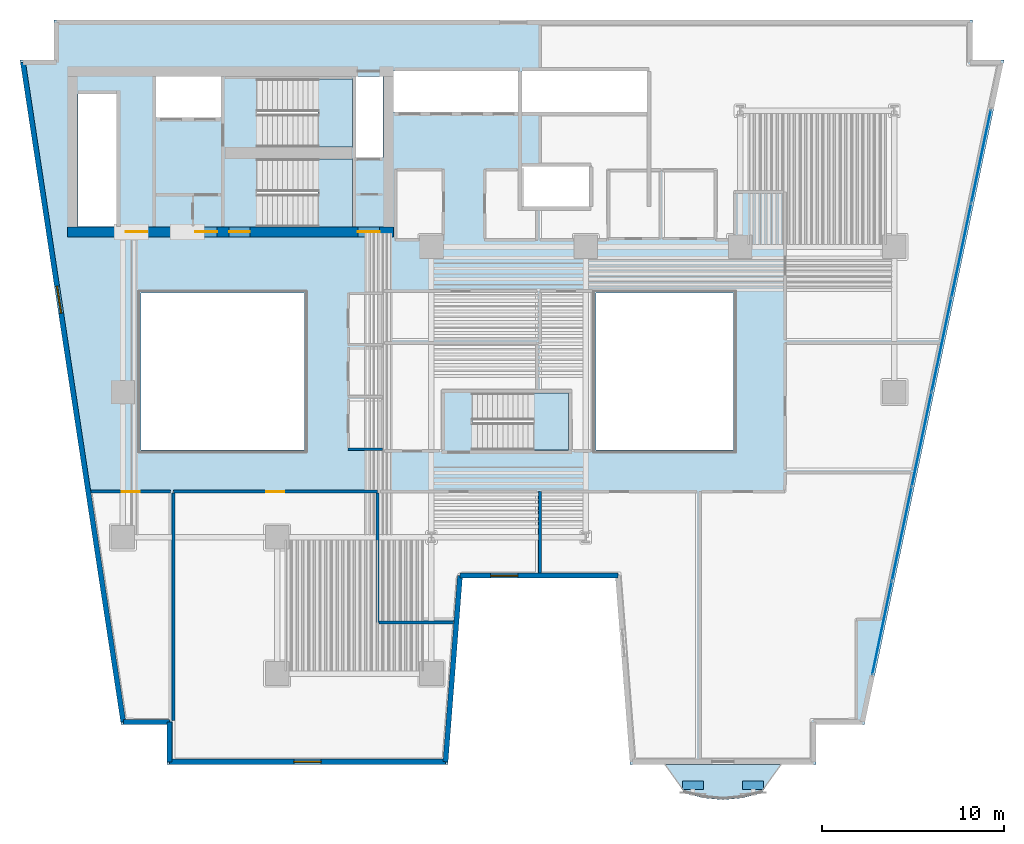
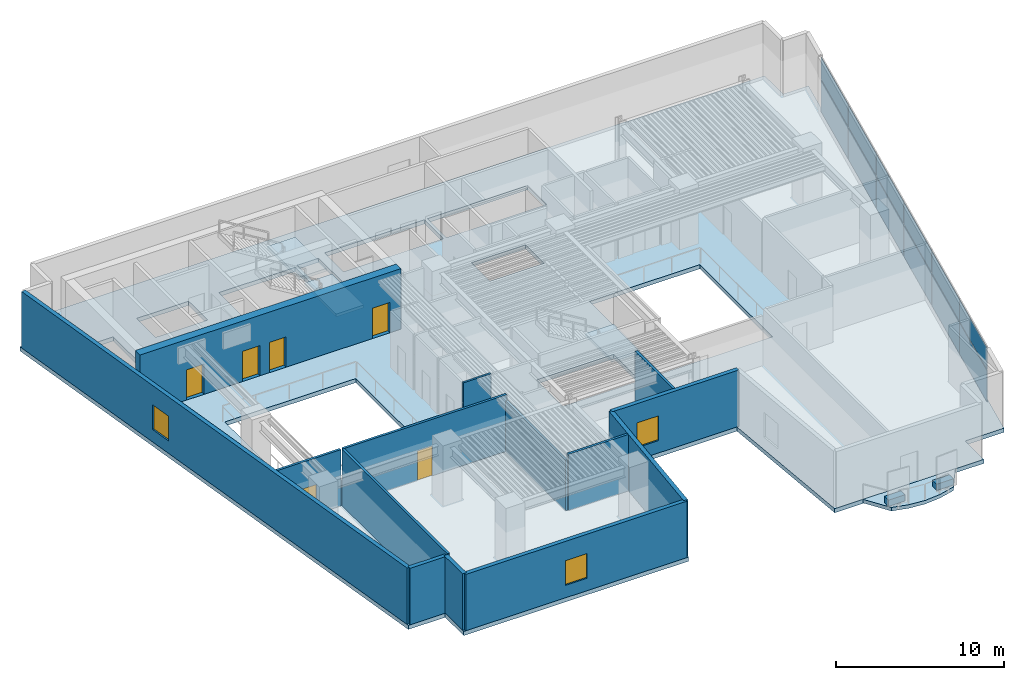
# One storey, part 3 of 12: 14 plates, 14 walls, 6 doors, 5 slabs, 3 windows, 9 openings, 4 elements without a shape of their own.
"""IFC4 building model written with IfcOpenShell, lengths in metres."""

from ifc_helpers import new_model, si_unit, direction, frame, frame_2d, origin, origin_2d, place, context, subcontext, project, spatial, polyline, rectangle, outline, extrude, material, layer, layer_set, type_object, element, fill, aggregate, save


model = new_model("IFC4")

# Units and contexts
model_context = context("Model", 3, precision=1e-05, world=origin(), true_north=direction((0.0, 1.0)))
body_context = subcontext(model_context, "Body", "Model", "MODEL_VIEW")
ifc_project = project(units=[si_unit("LENGTHUNIT", "METRE"), si_unit("AREAUNIT", "SQUARE_METRE"), si_unit("VOLUMEUNIT", "CUBIC_METRE"), si_unit("PLANEANGLEUNIT", "RADIAN"), si_unit("MASSUNIT", "GRAM", prefix="KILO")], contexts=[model_context])

# Site, building, storey
site_placement = place(None, origin())
site = spatial("IfcSite", under=ifc_project, at=site_placement, CompositionType="ELEMENT")
building_placement = place(site_placement, origin())
building = spatial("IfcBuilding", under=site, at=building_placement, Name="Caeloran Harvest Quay", CompositionType="ELEMENT")
storey_placement = place(building_placement, frame((0.0, 0.0, 57.800048828125)))
storey = spatial("IfcBuildingStorey", under=building, at=storey_placement, Name="L13", CompositionType="ELEMENT", Elevation=57.800048828125)

# Slab
ifc_material_1 = material(Name="Concrete C50/60", Category="concrete")
ifc_layer_1 = layer(ifc_material_1, 0.260009765625, Name="Concrete C50/60")
ifc_layer_set_1 = layer_set([ifc_layer_1], Name="Concrete C50/60")
slab_type_1 = type_object("IfcSlabType", Name="BALCONY-BL-260", PredefinedType="FLOOR", material=ifc_layer_set_1)
slab_1_placement = place(storey_placement, frame((0.0, 0.0, -0.260009765625)))
element("IfcSlab", 1, at=slab_1_placement, inside=storey, type_object=slab_type_1, Name="L13 Scalloped Cantilevered Planted Balcony Slab", PredefinedType="FLOOR", context=body_context, shape_type="SweptSolid", body=[
    extrude(outline(polyline([(43.686767578125, 0.917236328125), (42.622802734375, 0.644287109375), (41.55859375, 0.544189453125), (40.494384765625, 0.644287109375), (39.43017578125, 0.917236328125), (38.37939453125, 2.5), (44.73779296875, 2.5), (43.686767578125, 0.917236328125)])), origin(), (0.0, 0.0, 1.0), 0.260009765625),
])

# Curtain wall, plates
ifc_material_2 = material(Name="Aluminium 6063-T6 and Low-E Glazing", Category="aluminium")
ifc_layer_2 = layer(ifc_material_2, 0.199951171875, Name="Aluminium 6063-T6 and Low-E Glazing")
ifc_layer_set_2 = layer_set([ifc_layer_2], Name="Aluminium 6063-T6 and Low-E Glazing")
curtain_wall_type = type_object("IfcCurtainWallType", Name="CW-SYS-CW-2", PredefinedType="USERDEFINED", material=ifc_layer_set_2)
curtain_wall_placement = place(storey_placement, origin())
curtain_wall = element("IfcCurtainWall", 2, at=curtain_wall_placement, inside=storey, type_object=curtain_wall_type, Name="L13 Unitised Curtain Wall CW-2 Run 9", ObjectType="CURTAIN_WALL", PredefinedType="USERDEFINED")
ifc_material_3 = material(Name="Low-E Double Glazed Vision Glass Unit", Category="glass")
ifc_layer_3 = layer(ifc_material_3, 0.035888671875, Name="Low-E Double Glazed Vision Glass Unit")
ifc_layer_set_3 = layer_set([ifc_layer_3], Name="Low-E Double Glazed Vision Glass Unit")
plate_type_1 = type_object("IfcPlateType", Name="CW-VISION-PANEL", PredefinedType="CURTAIN_PANEL", material=ifc_layer_set_3)
plate_1_placement = place(storey_placement, frame((55.780029296875, 35.993408203125, 0.080078125), z_axis=(0.0, 0.0, 1.0), x_axis=(-0.205582960081, -0.978639691881, 0.0)))
plate_1 = element("IfcPlate", 3, at=plate_1_placement, type_object=plate_type_1, Name="CW-2 panel 1.1", PredefinedType="CURTAIN_PANEL", context=body_context, shape_type="SweptSolid", body=[
    extrude(rectangle(XDim=5.19873046875, YDim=0.035888671875, at=origin_2d()), origin(), (0.0, 0.0, 1.0), 2.280029296875),
])
plate_2_placement = place(storey_placement, frame((55.780029296875, 35.993408203125, 2.43994140625), z_axis=(0.0, 0.0, 1.0), x_axis=(-0.205582960081, -0.978639691881, 0.0)))
plate_2 = element("IfcPlate", 4, at=plate_2_placement, type_object=plate_type_1, Name="CW-2 panel 1.2", PredefinedType="CURTAIN_PANEL", context=body_context, shape_type="SweptSolid", body=[
    extrude(rectangle(XDim=5.19873046875, YDim=0.035888671875, at=origin_2d()), origin(), (0.0, 0.0, 1.0), 1.580078125),
])
plate_3_placement = place(storey_placement, frame((54.690673828125, 30.807861328125, 0.080078125), z_axis=(0.0, 0.0, 1.0), x_axis=(-0.205582960081, -0.978639691881, 0.0)))
plate_3 = element("IfcPlate", 5, at=plate_3_placement, type_object=plate_type_1, Name="CW-2 panel 2.1", PredefinedType="CURTAIN_PANEL", context=body_context, shape_type="SweptSolid", body=[
    extrude(rectangle(XDim=5.23876953125, YDim=0.035888671875, at=origin_2d()), origin(), (0.0, 0.0, 1.0), 2.280029296875),
])
plate_4_placement = place(storey_placement, frame((54.690673828125, 30.807861328125, 2.43994140625), z_axis=(0.0, 0.0, 1.0), x_axis=(-0.205582960081, -0.978639691881, 0.0)))
plate_4 = element("IfcPlate", 6, at=plate_4_placement, type_object=plate_type_1, Name="CW-2 panel 2.2", PredefinedType="CURTAIN_PANEL", context=body_context, shape_type="SweptSolid", body=[
    extrude(rectangle(XDim=5.23876953125, YDim=0.035888671875, at=origin_2d()), origin(), (0.0, 0.0, 1.0), 1.580078125),
])
plate_5_placement = place(storey_placement, frame((53.59716796875, 25.6025390625, 0.080078125), z_axis=(0.0, 0.0, 1.0), x_axis=(-0.205582960081, -0.978639691881, 0.0)))
plate_5 = element("IfcPlate", 7, at=plate_5_placement, type_object=plate_type_1, Name="CW-2 panel 3.1", PredefinedType="CURTAIN_PANEL", context=body_context, shape_type="SweptSolid", body=[
    extrude(rectangle(XDim=5.23876953125, YDim=0.035888671875, at=origin_2d()), origin(), (0.0, 0.0, 1.0), 2.280029296875),
])
plate_6_placement = place(storey_placement, frame((53.59716796875, 25.6025390625, 2.43994140625), z_axis=(0.0, 0.0, 1.0), x_axis=(-0.205582960081, -0.978639691881, 0.0)))
plate_6 = element("IfcPlate", 8, at=plate_6_placement, type_object=plate_type_1, Name="CW-2 panel 3.2", PredefinedType="CURTAIN_PANEL", context=body_context, shape_type="SweptSolid", body=[
    extrude(rectangle(XDim=5.23876953125, YDim=0.035888671875, at=origin_2d()), origin(), (0.0, 0.0, 1.0), 1.580078125),
])
plate_7_placement = place(storey_placement, frame((52.503662109375, 20.3974609375, 0.080078125), z_axis=(0.0, 0.0, 1.0), x_axis=(-0.205582960081, -0.978639691881, 0.0)))
plate_7 = element("IfcPlate", 9, at=plate_7_placement, type_object=plate_type_1, Name="CW-2 panel 4.1", PredefinedType="CURTAIN_PANEL", context=body_context, shape_type="SweptSolid", body=[
    extrude(rectangle(XDim=5.23876953125, YDim=0.035888671875, at=origin_2d()), origin(), (0.0, 0.0, 1.0), 2.280029296875),
])
plate_8_placement = place(storey_placement, frame((52.503662109375, 20.3974609375, 2.43994140625), z_axis=(0.0, 0.0, 1.0), x_axis=(-0.205582960081, -0.978639691881, 0.0)))
plate_8 = element("IfcPlate", 10, at=plate_8_placement, type_object=plate_type_1, Name="CW-2 panel 4.2", PredefinedType="CURTAIN_PANEL", context=body_context, shape_type="SweptSolid", body=[
    extrude(rectangle(XDim=5.23876953125, YDim=0.035888671875, at=origin_2d()), origin(), (0.0, 0.0, 1.0), 1.580078125),
])
plate_9_placement = place(storey_placement, frame((51.41015625, 15.192138671875, 0.080078125), z_axis=(0.0, 0.0, 1.0), x_axis=(-0.205582960081, -0.978639691881, 0.0)))
plate_9 = element("IfcPlate", 11, at=plate_9_placement, type_object=plate_type_1, Name="CW-2 panel 5.1", PredefinedType="CURTAIN_PANEL", context=body_context, shape_type="SweptSolid", body=[
    extrude(rectangle(XDim=5.23876953125, YDim=0.035888671875, at=origin_2d()), origin(), (0.0, 0.0, 1.0), 2.280029296875),
])
plate_10_placement = place(storey_placement, frame((51.41015625, 15.192138671875, 2.43994140625), z_axis=(0.0, 0.0, 1.0), x_axis=(-0.205582960081, -0.978639691881, 0.0)))
plate_10 = element("IfcPlate", 12, at=plate_10_placement, type_object=plate_type_1, Name="CW-2 panel 5.2", PredefinedType="CURTAIN_PANEL", context=body_context, shape_type="SweptSolid", body=[
    extrude(rectangle(XDim=5.23876953125, YDim=0.035888671875, at=origin_2d()), origin(), (0.0, 0.0, 1.0), 1.580078125),
])
plate_11_placement = place(storey_placement, frame((50.321044921875, 10.006591796875, 0.080078125), z_axis=(0.0, 0.0, 1.0), x_axis=(-0.205582960081, -0.978639691881, 0.0)))
plate_11 = element("IfcPlate", 13, at=plate_11_placement, type_object=plate_type_1, Name="CW-2 panel 6.1", PredefinedType="CURTAIN_PANEL", context=body_context, shape_type="SweptSolid", body=[
    extrude(rectangle(XDim=5.19873046875, YDim=0.035888671875, at=origin_2d()), origin(), (0.0, 0.0, 1.0), 2.280029296875),
])
plate_12_placement = place(storey_placement, frame((50.321044921875, 10.006591796875, 2.43994140625), z_axis=(0.0, 0.0, 1.0), x_axis=(-0.205582960081, -0.978639691881, 0.0)))
plate_12 = element("IfcPlate", 14, at=plate_12_placement, type_object=plate_type_1, Name="CW-2 panel 6.2", PredefinedType="CURTAIN_PANEL", context=body_context, shape_type="SweptSolid", body=[
    extrude(rectangle(XDim=5.19873046875, YDim=0.035888671875, at=origin_2d()), origin(), (0.0, 0.0, 1.0), 1.580078125),
])
aggregate(curtain_wall, [plate_1, plate_2, plate_3, plate_4, plate_5, plate_6, plate_7, plate_8, plate_9, plate_10, plate_11, plate_12])

# Plates
ifc_material_4 = material(Name="Precast concrete C50/60", Category="concrete")
ifc_layer_4 = layer(ifc_material_4, 0.449951171875, Name="Precast concrete C50/60")
ifc_layer_set_4 = layer_set([ifc_layer_4], Name="Precast concrete C50/60")
plate_type_2 = type_object("IfcPlateType", Name="PLANTER-TROUGH-450", PredefinedType="USERDEFINED", material=ifc_layer_set_4)
for number, where, z_axis, x_axis, name in (
    (15, (43.218505859375, 1.3408203125, 0.0), (0.0, 0.0, 1.0), (1.0, 0.0, 0.0), "L13 Balcony Vertical-Greenery Precast PLANTER Trough 1"),
    (16, (39.8984375, 1.3408203125, 0.0), (0.0, 0.0, 1.0), (1.0, 0.0, 0.0), "L13 Balcony Vertical-Greenery Precast PLANTER Trough 2"),
):
    element("IfcPlate", number, at=place(storey_placement, frame(where, z_axis=z_axis, x_axis=x_axis)), inside=storey, type_object=plate_type_2, Name=name, ObjectType="PLANTER", PredefinedType="USERDEFINED", context=body_context, shape_type="SweptSolid", body=[
        extrude(rectangle(XDim=1.14990234375, YDim=0.47998046875, at=origin_2d()), origin(), (0.0, 0.0, 1.0), 0.449951171875),
    ])

# Slab
ifc_layer_5 = layer(ifc_material_1, 0.300048828125, Name="Concrete C50/60")
ifc_layer_set_5 = layer_set([ifc_layer_5], Name="Concrete C50/60")
slab_type_2 = type_object("IfcSlabType", Name="SLAB-FS-300", PredefinedType="FLOOR", material=ifc_layer_set_5)
slab_2_placement = place(storey_placement, frame((0.0, 0.0, -0.300048828125)))
element("IfcSlab", 17, at=slab_2_placement, inside=storey, type_object=slab_type_2, Name="L13 Structural Floor Slab", PredefinedType="FLOOR", context=body_context, shape_type="SweptSolid", body=[
    extrude(outline(polyline([(10.93701171875, 2.5), (26.403076171875, 2.5), (27.202880859375, 12.75), (35.640380859375, 12.75), (36.4404296875, 2.5), (46.68701171875, 2.5), (46.68701171875, 4.699951171875), (49.34912109375, 4.699951171875), (57.037841796875, 41.300048828125), (55.300048828125, 41.300048828125), (55.300048828125, 43.5), (4.699951171875, 43.5), (4.699951171875, 41.300048828125), (2.834716796875, 41.300048828125), (8.40234375, 4.699951171875), (10.93701171875, 4.699951171875), (10.93701171875, 2.5)]), holes=[polyline([(18.5, 19.800048828125), (9.5, 19.800048828125), (9.5, 28.449951171875), (18.5, 28.449951171875), (18.5, 19.800048828125)]), polyline([(15.89990234375, 32.10009765625), (15.89990234375, 35.85009765625), (21.14990234375, 35.85009765625), (21.14990234375, 32.10009765625), (15.89990234375, 32.10009765625)]), polyline([(8.159912109375, 32.1201171875), (6.02001953125, 32.1201171875), (6.02001953125, 39.419921875), (8.159912109375, 39.419921875), (8.159912109375, 32.1201171875)]), polyline([(21.35009765625, 35.919921875), (21.35009765625, 40.3798828125), (22.830078125, 40.3798828125), (22.830078125, 35.919921875), (21.35009765625, 35.919921875)]), polyline([(15.89990234375, 40.25), (21.14990234375, 40.25), (21.14990234375, 36.5), (15.89990234375, 36.5), (15.89990234375, 40.25)]), polyline([(13.89990234375, 38.1201171875), (10.320068359375, 38.1201171875), (10.320068359375, 40.3798828125), (13.89990234375, 40.3798828125), (13.89990234375, 38.1201171875)]), polyline([(27.75, 22.949951171875), (33.050048828125, 22.949951171875), (33.050048828125, 19.800048828125), (27.75, 19.800048828125), (27.75, 22.949951171875)]), polyline([(34.550048828125, 19.800048828125), (34.550048828125, 28.449951171875), (42.14990234375, 28.449951171875), (42.14990234375, 19.800048828125), (34.550048828125, 19.800048828125)]), polyline([(34.199951171875, 33.219970703125), (30.47998046875, 33.219970703125), (30.47998046875, 35.429931640625), (34.199951171875, 35.429931640625), (34.199951171875, 33.219970703125)]), polyline([(23.419921875, 38.419921875), (23.419921875, 40.679931640625), (30.280029296875, 40.679931640625), (30.280029296875, 38.419921875), (23.419921875, 38.419921875)]), polyline([(30.47998046875, 38.419921875), (30.47998046875, 40.679931640625), (37.3798828125, 40.679931640625), (37.3798828125, 38.419921875), (30.47998046875, 38.419921875)])]), origin(), (0.0, 0.0, 1.0), 0.300048828125),
])

# Stair, slab
stair_type_1 = type_object("IfcStairType", Name="STAIR-STC-180", PredefinedType="HALF_TURN_STAIR", material=ifc_material_1)
stair_1_placement = place(storey_placement, origin())
stair_1 = element("IfcStair", 18, at=stair_1_placement, inside=storey, type_object=stair_type_1, Name="L13 Core Pressurized Exit Stair ST-C1", PredefinedType="HALF_TURN_STAIR")
ifc_layer_6 = layer(ifc_material_1, 0.219970703125, Name="Concrete C50/60")
ifc_layer_set_6 = layer_set([ifc_layer_6], Name="Concrete C50/60")
slab_type_3 = type_object("IfcSlabType", Name="STAIR-LANDING-220", PredefinedType="LANDING", material=ifc_layer_set_6)
slab_3_placement = place(storey_placement, frame((0.0, 0.0, 2.0)))
slab_3 = element("IfcSlab", 19, at=slab_3_placement, type_object=slab_type_3, Name="ST-C1 landing 1", PredefinedType="LANDING", context=body_context, shape_type="SweptSolid", body=[
    extrude(outline(polyline([(19.260009765625, 36.5), (21.14990234375, 36.5), (21.14990234375, 40.25), (19.260009765625, 40.25), (19.260009765625, 36.5)])), origin(), (0.0, 0.0, 1.0), 0.199951171875),
])
aggregate(stair_1, [slab_3])

stair_2_placement = place(storey_placement, origin())
stair_2 = element("IfcStair", 20, at=stair_2_placement, inside=storey, type_object=stair_type_1, Name="L13 Core Pressurized Exit Stair ST-C2", PredefinedType="HALF_TURN_STAIR")
slab_4_placement = place(storey_placement, frame((0.0, 0.0, 2.0)))
slab_4 = element("IfcSlab", 21, at=slab_4_placement, type_object=slab_type_3, Name="ST-C2 landing 1", PredefinedType="LANDING", context=body_context, shape_type="SweptSolid", body=[
    extrude(outline(polyline([(19.260009765625, 32.10009765625), (21.14990234375, 32.10009765625), (21.14990234375, 35.85009765625), (19.260009765625, 35.85009765625), (19.260009765625, 32.10009765625)])), origin(), (0.0, 0.0, 1.0), 0.199951171875),
])
aggregate(stair_2, [slab_4])

stair_type_2 = type_object("IfcStairType", Name="STAIR-STW-150", PredefinedType="HALF_TURN_STAIR", material=ifc_material_1)
stair_3_placement = place(storey_placement, origin())
stair_3 = element("IfcStair", 22, at=stair_3_placement, inside=storey, type_object=stair_type_2, Name="L13 East Wing Protected Exit Stair ST-W1", PredefinedType="HALF_TURN_STAIR")
slab_5_placement = place(storey_placement, frame((0.0, 0.0, 2.0)))
slab_5 = element("IfcSlab", 23, at=slab_5_placement, type_object=slab_type_3, Name="ST-W1 landing 1", PredefinedType="LANDING", context=body_context, shape_type="SweptSolid", body=[
    extrude(outline(polyline([(31.110107421875, 19.800048828125), (33.050048828125, 19.800048828125), (33.050048828125, 22.949951171875), (31.110107421875, 22.949951171875), (31.110107421875, 19.800048828125)])), origin(), (0.0, 0.0, 1.0), 0.199951171875),
])
aggregate(stair_3, [slab_5])

# Walls
ifc_layer_7 = layer(ifc_material_4, 0.280029296875, Name="Precast concrete C50/60")
ifc_layer_set_7 = layer_set([ifc_layer_7], Name="Precast concrete C50/60")
wall_type_1 = type_object("IfcWallType", Name="ENV-WALL-EW-280", PredefinedType="STANDARD", material=ifc_layer_set_7)
wall_1_placement = place(storey_placement, frame((11.076904296875, 2.639892578125, 0.0), z_axis=(0.0, 0.0, 1.0), x_axis=(0.0, 1.0, 0.0)))
element("IfcWall", 24, at=wall_1_placement, inside=storey, type_object=wall_type_1, Name="L13 Exterior Precast Concrete Facade Wall 1", PredefinedType="STANDARD", context=body_context, shape_type="SweptSolid", body=[
    extrude(rectangle(XDim=2.2001953125, YDim=0.280029296875, at=frame_2d((1.10009765625, 0.0))), origin(), (0.0, 0.0, 1.0), 4.099853515625),
])
wall_2_placement = place(storey_placement, frame((11.076904296875, 4.840087890625, 0.0), z_axis=(0.0, 0.0, 1.0), x_axis=(-1.0, 0.0, 0.0)))
element("IfcWall", 25, at=wall_2_placement, inside=storey, type_object=wall_type_1, Name="L13 Exterior Precast Concrete Facade Wall 2", PredefinedType="STANDARD", context=body_context, shape_type="SweptSolid", body=[
    extrude(rectangle(XDim=2.55419921875, YDim=0.280029296875, at=frame_2d((1.277099609375, 0.0))), origin(), (0.0, 0.0, 1.0), 4.099853515625),
])

# Wall, opening, window
wall_3_placement = place(storey_placement, frame((8.522705078125, 4.840087890625, 0.0), z_axis=(0.0, 0.0, 1.0), x_axis=(-0.150394554312, 0.988626055712, 0.0)))
wall_3 = element("IfcWall", 26, at=wall_3_placement, inside=storey, type_object=wall_type_1, Name="L13 Exterior Precast Concrete Facade Wall 3", PredefinedType="STANDARD", context=body_context, shape_type="SweptSolid", body=[
    extrude(rectangle(XDim=36.73779296875, YDim=0.280029296875, at=frame_2d((18.368896484375, 0.0))), origin(), (0.0, 0.0, 1.0), 4.099853515625),
])
opening_1_placement = place(wall_3_placement, frame((22.761962890625, 0.0, 0.89990234375)))
opening_1 = element("IfcOpeningElement", 27, at=opening_1_placement, cuts=wall_3, Name="Opening W-03", PredefinedType="OPENING", context=body_context, shape_type="SweptSolid", body=[
    extrude(rectangle(XDim=1.5, YDim=1.800048828125, at=frame_2d((0.75, 0.89990234375))), frame((0.0, 0.14990234375, 0.0), z_axis=(0.0, -1.0, 0.0), x_axis=(1.0, 0.0, 0.0)), (0.0, 0.0, 1.0), 0.300048828125),
])
ifc_material_5 = material(Name="Aluminium-Framed Low-E Laminated Glass", Category="aluminium")
window_type = type_object("IfcWindowType", Name="WIN-W-03", PartitioningType="SINGLE_PANEL", PredefinedType="WINDOW", material=ifc_material_5)
window_1_placement = place(opening_1_placement, origin())
window_1 = element("IfcWindow", 28, at=window_1_placement, inside=storey, type_object=window_type, Name="L13 Facade Punched Window W-03", OverallHeight=1.800048828125, OverallWidth=1.5, PartitioningType="SINGLE_PANEL", PredefinedType="WINDOW", context=body_context, shape_type="SweptSolid", body=[
    extrude(rectangle(XDim=1.5, YDim=1.800048828125, at=frame_2d((0.75, 0.89990234375))), frame((0.0, 0.030029296875, 0.0), z_axis=(0.0, -1.0, 0.0), x_axis=(1.0, 0.0, 0.0)), (0.0, 0.0, 1.0), 0.06005859375),
])
fill(opening_1, window_1)

wall_4_placement = place(storey_placement, frame((35.77001953125, 12.889892578125, 0.0), z_axis=(0.0, 0.0, 1.0), x_axis=(-1.0, 0.0, 0.0)))
wall_4 = element("IfcWall", 29, at=wall_4_placement, inside=storey, type_object=wall_type_1, Name="L13 Exterior Precast Concrete Facade Wall 14", PredefinedType="STANDARD", context=body_context, shape_type="SweptSolid", body=[
    extrude(rectangle(XDim=8.696533203125, YDim=0.280029296875, at=frame_2d((4.34814453125, 0.0))), origin(), (0.0, 0.0, 1.0), 4.099853515625),
])
opening_2_placement = place(wall_4_placement, frame((5.510986328125, 0.0, 0.89990234375)))
opening_2 = element("IfcOpeningElement", 30, at=opening_2_placement, cuts=wall_4, Name="Opening W-03", PredefinedType="OPENING", context=body_context, shape_type="SweptSolid", body=[
    extrude(rectangle(XDim=1.5, YDim=1.800048828125, at=frame_2d((0.75, 0.89990234375))), frame((0.0, 0.14990234375, 0.0), z_axis=(0.0, -1.0, 0.0), x_axis=(1.0, 0.0, 0.0)), (0.0, 0.0, 1.0), 0.300048828125),
])
window_2_placement = place(opening_2_placement, origin())
window_2 = element("IfcWindow", 31, at=window_2_placement, inside=storey, type_object=window_type, Name="L13 Facade Punched Window W-03", OverallHeight=1.800048828125, OverallWidth=1.5, PartitioningType="SINGLE_PANEL", PredefinedType="WINDOW", context=body_context, shape_type="SweptSolid", body=[
    extrude(rectangle(XDim=1.5, YDim=1.800048828125, at=frame_2d((0.75, 0.89990234375))), frame((0.0, 0.030029296875, 0.0), z_axis=(0.0, -1.0, 0.0), x_axis=(1.0, 0.0, 0.0)), (0.0, 0.0, 1.0), 0.06005859375),
])
fill(opening_2, window_2)

# Wall
wall_5_placement = place(storey_placement, frame((27.073486328125, 12.889892578125, 0.0), z_axis=(0.0, 0.0, 1.0), x_axis=(-0.077816860153, -0.996967670627, 0.0)))
element("IfcWall", 32, at=wall_5_placement, inside=storey, type_object=wall_type_1, Name="L13 Exterior Precast Concrete Facade Wall 15", PredefinedType="STANDARD", context=body_context, shape_type="SweptSolid", body=[
    extrude(rectangle(XDim=10.28125, YDim=0.280029296875, at=frame_2d((5.140625, 0.0))), origin(), (0.0, 0.0, 1.0), 4.099853515625),
])

# Wall, opening, window
wall_6_placement = place(storey_placement, frame((26.2734375, 2.639892578125, 0.0), z_axis=(0.0, 0.0, 1.0), x_axis=(-1.0, 0.0, 0.0)))
wall_6 = element("IfcWall", 33, at=wall_6_placement, inside=storey, type_object=wall_type_1, Name="L13 Exterior Precast Concrete Facade Wall 16", PredefinedType="STANDARD", context=body_context, shape_type="SweptSolid", body=[
    extrude(rectangle(XDim=15.196533203125, YDim=0.280029296875, at=frame_2d((7.59814453125, 0.0))), origin(), (0.0, 0.0, 1.0), 4.099853515625),
])
opening_3_placement = place(wall_6_placement, frame((6.847900390625, 0.0, 0.89990234375)))
opening_3 = element("IfcOpeningElement", 34, at=opening_3_placement, cuts=wall_6, Name="Opening W-03", PredefinedType="OPENING", context=body_context, shape_type="SweptSolid", body=[
    extrude(rectangle(XDim=1.5, YDim=1.800048828125, at=frame_2d((0.75, 0.89990234375))), frame((0.0, 0.14990234375, 0.0), z_axis=(0.0, -1.0, 0.0), x_axis=(1.0, 0.0, 0.0)), (0.0, 0.0, 1.0), 0.300048828125),
])
window_3_placement = place(opening_3_placement, origin())
window_3 = element("IfcWindow", 35, at=window_3_placement, inside=storey, type_object=window_type, Name="L13 Facade Punched Window W-03", OverallHeight=1.800048828125, OverallWidth=1.5, PartitioningType="SINGLE_PANEL", PredefinedType="WINDOW", context=body_context, shape_type="SweptSolid", body=[
    extrude(rectangle(XDim=1.5, YDim=1.800048828125, at=frame_2d((0.75, 0.89990234375))), frame((0.0, 0.030029296875, 0.0), z_axis=(0.0, -1.0, 0.0), x_axis=(1.0, 0.0, 0.0)), (0.0, 0.0, 1.0), 0.06005859375),
])
fill(opening_3, window_3)

# Wall
ifc_material_6 = material(Name="Moisture-Resistant Cement-Board Sanitary Partition", Category="gypsum")
ifc_layer_8 = layer(ifc_material_6, 0.139892578125, Name="Moisture-Resistant Cement-Board Sanitary Partition")
ifc_layer_set_8 = layer_set([ifc_layer_8], Name="Moisture-Resistant Cement-Board Sanitary Partition")
wall_type_2 = type_object("IfcWallType", Name="INT-WALL-PW-140", PredefinedType="PARTITIONING", material=ifc_layer_set_8)
wall_7_placement = place(storey_placement, frame((22.800048828125, 19.85009765625, 0.0), z_axis=(0.0, 0.0, 1.0), x_axis=(-1.0, 0.0, 0.0)))
element("IfcWall", 36, at=wall_7_placement, inside=storey, type_object=wall_type_2, Name="L13 Accessible Unisex Washroom WC Partition Wall", PredefinedType="PARTITIONING", context=body_context, shape_type="SweptSolid", body=[
    extrude(rectangle(XDim=1.89013671875, YDim=0.139892578125, at=frame_2d((0.945068359375, 0.0))), origin(), (0.0, 0.0, 1.0), 4.099853515625),
])

# Wall, opening, door
ifc_material_7 = material(Name="Autoclaved Aerated Concrete Blockwork", Category="masonry")
ifc_layer_9 = layer(ifc_material_7, 0.1650390625, Name="Autoclaved Aerated Concrete Blockwork")
ifc_layer_set_9 = layer_set([ifc_layer_9], Name="Autoclaved Aerated Concrete Blockwork")
wall_type_3 = type_object("IfcWallType", Name="INT-WALL-PW-165", PredefinedType="PARTITIONING", material=ifc_layer_set_9)
wall_8_placement = place(storey_placement, frame((11.280029296875, 17.52001953125, 0.0), z_axis=(0.0, 0.0, 1.0), x_axis=(1.0, 0.0, 0.0)))
wall_8 = element("IfcWall", 37, at=wall_8_placement, inside=storey, type_object=wall_type_3, Name="Fermented Botanical Kitchen Partition Wall", PredefinedType="PARTITIONING", context=body_context, shape_type="SweptSolid", body=[
    extrude(rectangle(XDim=11.239990234375, YDim=0.1650390625, at=frame_2d((5.6201171875, 0.0))), origin(), (0.0, 0.0, 1.0), 4.099853515625),
])
opening_4_placement = place(wall_8_placement, frame((5.1201171875, 0.0, 0.0)))
opening_4 = element("IfcOpeningElement", 38, at=opening_4_placement, cuts=wall_8, Name="Opening ID-01", PredefinedType="OPENING", context=body_context, shape_type="SweptSolid", body=[
    extrude(rectangle(XDim=1.0, YDim=2.14990234375, at=frame_2d((0.5, 1.074951171875))), frame((0.0, 0.092529296875, 0.0), z_axis=(0.0, -1.0, 0.0), x_axis=(1.0, 0.0, 0.0)), (0.0, 0.0, 1.0), 0.18505859375),
])
ifc_material_8 = material(Name="FSC Solid-Core Ash Timber and Acoustic Seal", Category="wood")
door_type_1 = type_object("IfcDoorType", Name="INTDOOR-ID-01", OperationType="NOTDEFINED", PredefinedType="DOOR", material=ifc_material_8)
door_1_placement = place(opening_4_placement, origin())
door_1 = element("IfcDoor", 39, at=door_1_placement, inside=storey, type_object=door_type_1, Name="Fermented Botanical Kitchen Access Door", OperationType="SINGLE_SWING_RIGHT", OverallHeight=2.14990234375, OverallWidth=1.0, PredefinedType="DOOR", context=body_context, shape_type="SweptSolid", body=[
    extrude(rectangle(XDim=1.0, YDim=2.14990234375, at=frame_2d((0.5, 1.074951171875))), frame((0.0, 0.02490234375, 0.0), z_axis=(0.0, -1.0, 0.0), x_axis=(1.0, 0.0, 0.0)), (0.0, 0.0, 1.0), 0.050048828125),
])
fill(opening_4, door_1)

# Walls
wall_9_placement = place(storey_placement, frame((22.52001953125, 17.4326171875, 0.0), z_axis=(0.0, 0.0, 1.0), x_axis=(0.0, -1.0, 0.0)))
element("IfcWall", 40, at=wall_9_placement, inside=storey, type_object=wall_type_3, Name="Fermented Botanical Kitchen Partition Wall", PredefinedType="PARTITIONING", context=body_context, shape_type="SweptSolid", body=[
    extrude(rectangle(XDim=7.112548828125, YDim=0.1650390625, at=frame_2d((3.55615234375, 0.0))), origin(), (0.0, 0.0, 1.0), 3.68505859375),
])
wall_10_placement = place(storey_placement, frame((22.607421875, 10.320068359375, 0.0), z_axis=(0.0, 0.0, 1.0), x_axis=(1.0, 0.0, 0.0)))
element("IfcWall", 41, at=wall_10_placement, inside=storey, type_object=wall_type_3, Name="Fermented Botanical Kitchen Partition Wall", PredefinedType="PARTITIONING", context=body_context, shape_type="SweptSolid", body=[
    extrude(rectangle(XDim=4.1201171875, YDim=0.1650390625, at=frame_2d((2.06005859375, 0.0))), origin(), (0.0, 0.0, 1.0), 4.099853515625),
])
wall_11_placement = place(storey_placement, frame((11.280029296875, 4.910400390625, 0.0), z_axis=(0.0, 0.0, 1.0), x_axis=(0.0, 1.0, 0.0)))
element("IfcWall", 42, at=wall_11_placement, inside=storey, type_object=wall_type_3, Name="Fermented Botanical Kitchen Partition Wall", PredefinedType="PARTITIONING", context=body_context, shape_type="SweptSolid", body=[
    extrude(rectangle(XDim=12.522216796875, YDim=0.1650390625, at=frame_2d((6.26123046875, 0.0))), origin(), (0.0, 0.0, 1.0), 4.099853515625),
])
wall_12_placement = place(storey_placement, frame((31.47998046875, 13.034912109375, 0.0), z_axis=(0.0, 0.0, 1.0), x_axis=(0.0, 1.0, 0.0)))
element("IfcWall", 43, at=wall_12_placement, inside=storey, type_object=wall_type_3, Name="Seedling Sensory Salon Lounge Partition Wall", PredefinedType="PARTITIONING", context=body_context, shape_type="SweptSolid", body=[
    extrude(rectangle(XDim=4.485107421875, YDim=0.1650390625, at=frame_2d((2.24267578125, 0.0))), origin(), (0.0, 0.0, 1.0), 4.099853515625),
])

# Wall, opening, door
wall_13_placement = place(storey_placement, frame((6.740478515625, 17.52001953125, 0.0), z_axis=(0.0, 0.0, 1.0), x_axis=(1.0, 0.0, 0.0)))
wall_13 = element("IfcWall", 44, at=wall_13_placement, inside=storey, type_object=wall_type_3, Name="Pollination Dining Lounge Partition Wall", PredefinedType="PARTITIONING", context=body_context, shape_type="SweptSolid", body=[
    extrude(rectangle(XDim=4.379638671875, YDim=0.1650390625, at=frame_2d((2.18994140625, 0.0))), origin(), (0.0, 0.0, 1.0), 4.099853515625),
])
opening_5_placement = place(wall_13_placement, frame((1.689697265625, 0.0, 0.0)))
opening_5 = element("IfcOpeningElement", 45, at=opening_5_placement, cuts=wall_13, Name="Opening ID-01", PredefinedType="OPENING", context=body_context, shape_type="SweptSolid", body=[
    extrude(rectangle(XDim=1.0, YDim=2.14990234375, at=frame_2d((0.5, 1.074951171875))), frame((0.0, 0.092529296875, 0.0), z_axis=(0.0, -1.0, 0.0), x_axis=(1.0, 0.0, 0.0)), (0.0, 0.0, 1.0), 0.18505859375),
])
door_2_placement = place(opening_5_placement, origin())
door_2 = element("IfcDoor", 46, at=door_2_placement, inside=storey, type_object=door_type_1, Name="Pollination Dining Lounge Access Door", OperationType="SINGLE_SWING_LEFT", OverallHeight=2.14990234375, OverallWidth=1.0, PredefinedType="DOOR", context=body_context, shape_type="SweptSolid", body=[
    extrude(rectangle(XDim=1.0, YDim=2.14990234375, at=frame_2d((0.5, 1.074951171875))), frame((0.0, 0.02490234375, 0.0), z_axis=(0.0, -1.0, 0.0), x_axis=(1.0, 0.0, 0.0)), (0.0, 0.0, 1.0), 0.050048828125),
])
fill(opening_5, door_2)

# Wall, openings, doors
ifc_material_9 = material(Name="Concrete C80/95", Category="concrete")
ifc_layer_10 = layer(ifc_material_9, 0.550048828125, Name="Concrete C80/95")
ifc_layer_set_10 = layer_set([ifc_layer_10], Name="Concrete C80/95")
wall_type_4 = type_object("IfcWallType", Name="STR-WALL-CW-550", PredefinedType="SHEAR", material=ifc_layer_set_10)
wall_14_placement = place(storey_placement, frame((5.449951171875, 31.824951171875, 0.0), z_axis=(0.0, 0.0, 1.0), x_axis=(1.0, 0.0, 0.0)))
wall_14 = element("IfcWall", 47, at=wall_14_placement, inside=storey, type_object=wall_type_4, Name="L13 Rear Core Shear Wall S", PredefinedType="SHEAR", context=body_context, shape_type="SweptSolid", body=[
    extrude(rectangle(XDim=17.949951171875, YDim=0.550048828125, at=frame_2d((8.97509765625, 0.0))), origin(), (0.0, 0.0, 1.0), 4.39990234375),
])
opening_6_placement = place(wall_14_placement, frame((3.199951171875, 0.0, 0.0)))
opening_6 = element("IfcOpeningElement", 48, at=opening_6_placement, cuts=wall_14, Name="Opening FD-01", PredefinedType="OPENING", context=body_context, shape_type="SweptSolid", body=[
    extrude(rectangle(XDim=1.199951171875, YDim=2.199951171875, at=frame_2d((0.60009765625, 1.10009765625))), frame((0.0, 0.28515625, 0.0), z_axis=(0.0, -1.0, 0.0), x_axis=(1.0, 0.0, 0.0)), (0.0, 0.0, 1.0), 0.570068359375),
])
opening_7_placement = place(wall_14_placement, frame((7.050048828125, 0.0, 0.0)))
opening_7 = element("IfcOpeningElement", 49, at=opening_7_placement, cuts=wall_14, Name="Opening FD-01", PredefinedType="OPENING", context=body_context, shape_type="SweptSolid", body=[
    extrude(rectangle(XDim=1.199951171875, YDim=2.199951171875, at=frame_2d((0.60009765625, 1.10009765625))), frame((0.0, 0.28515625, 0.0), z_axis=(0.0, -1.0, 0.0), x_axis=(1.0, 0.0, 0.0)), (0.0, 0.0, 1.0), 0.570068359375),
])
opening_8_placement = place(wall_14_placement, frame((8.89990234375, 0.0, 0.0)))
opening_8 = element("IfcOpeningElement", 50, at=opening_8_placement, cuts=wall_14, Name="Opening SD-01", PredefinedType="OPENING", context=body_context, shape_type="SweptSolid", body=[
    extrude(rectangle(XDim=1.14990234375, YDim=2.199951171875, at=frame_2d((0.574951171875, 1.10009765625))), frame((0.0, 0.28515625, 0.0), z_axis=(0.0, -1.0, 0.0), x_axis=(1.0, 0.0, 0.0)), (0.0, 0.0, 1.0), 0.570068359375),
])
opening_9_placement = place(wall_14_placement, frame((16.0, 0.0, 0.0)))
opening_9 = element("IfcOpeningElement", 51, at=opening_9_placement, cuts=wall_14, Name="Opening FD-01", PredefinedType="OPENING", context=body_context, shape_type="SweptSolid", body=[
    extrude(rectangle(XDim=1.199951171875, YDim=2.199951171875, at=frame_2d((0.60009765625, 1.10009765625))), frame((0.0, 0.28515625, 0.0), z_axis=(0.0, -1.0, 0.0), x_axis=(1.0, 0.0, 0.0)), (0.0, 0.0, 1.0), 0.570068359375),
])
ifc_material_10 = material(Name="Steel", Category="steel")
door_type_2 = type_object("IfcDoorType", Name="INTDOOR-FD-01", OperationType="NOTDEFINED", PredefinedType="DOOR", material=ifc_material_10)
door_3_placement = place(opening_6_placement, origin())
door_3 = element("IfcDoor", 52, at=door_3_placement, inside=storey, type_object=door_type_2, Name="L13 High-Rise Lift Lobby Fire Door", OperationType="SINGLE_SWING_LEFT", OverallHeight=2.199951171875, OverallWidth=1.199951171875, PredefinedType="DOOR", context=body_context, shape_type="SweptSolid", body=[
    extrude(rectangle(XDim=1.199951171875, YDim=2.199951171875, at=frame_2d((0.60009765625, 1.10009765625))), frame((0.0, 0.02490234375, 0.0), z_axis=(0.0, -1.0, 0.0), x_axis=(1.0, 0.0, 0.0)), (0.0, 0.0, 1.0), 0.050048828125),
])
fill(opening_6, door_3)
door_4_placement = place(opening_7_placement, origin())
door_4 = element("IfcDoor", 53, at=door_4_placement, inside=storey, type_object=door_type_2, Name="L13 Firefighting Lobby Vestibule Fire Door", OperationType="SINGLE_SWING_RIGHT", OverallHeight=2.199951171875, OverallWidth=1.199951171875, PredefinedType="DOOR", context=body_context, shape_type="SweptSolid", body=[
    extrude(rectangle(XDim=1.199951171875, YDim=2.199951171875, at=frame_2d((0.60009765625, 1.10009765625))), frame((0.0, 0.02490234375, 0.0), z_axis=(0.0, -1.0, 0.0), x_axis=(1.0, 0.0, 0.0)), (0.0, 0.0, 1.0), 0.050048828125),
])
fill(opening_7, door_4)
door_5_placement = place(opening_9_placement, origin())
door_5 = element("IfcDoor", 54, at=door_5_placement, inside=storey, type_object=door_type_2, Name="L13 Service Lift Lobby Fire Door", OperationType="SINGLE_SWING_RIGHT", OverallHeight=2.199951171875, OverallWidth=1.199951171875, PredefinedType="DOOR", context=body_context, shape_type="SweptSolid", body=[
    extrude(rectangle(XDim=1.199951171875, YDim=2.199951171875, at=frame_2d((0.60009765625, 1.10009765625))), frame((0.0, 0.02490234375, 0.0), z_axis=(0.0, -1.0, 0.0), x_axis=(1.0, 0.0, 0.0)), (0.0, 0.0, 1.0), 0.050048828125),
])
fill(opening_9, door_5)
door_type_3 = type_object("IfcDoorType", Name="INTDOOR-SD-01", OperationType="NOTDEFINED", PredefinedType="DOOR", material=ifc_material_10)
door_6_placement = place(opening_8_placement, origin())
door_6 = element("IfcDoor", 55, at=door_6_placement, inside=storey, type_object=door_type_3, Name="L13 Protected Stair ST-C2 Exit Door", OperationType="SINGLE_SWING_LEFT", OverallHeight=2.199951171875, OverallWidth=1.14990234375, PredefinedType="DOOR", context=body_context, shape_type="SweptSolid", body=[
    extrude(rectangle(XDim=1.14990234375, YDim=2.199951171875, at=frame_2d((0.574951171875, 1.10009765625))), frame((0.0, 0.02490234375, 0.0), z_axis=(0.0, -1.0, 0.0), x_axis=(1.0, 0.0, 0.0)), (0.0, 0.0, 1.0), 0.050048828125),
])
fill(opening_8, door_6)

save(model, "model.ifc")
